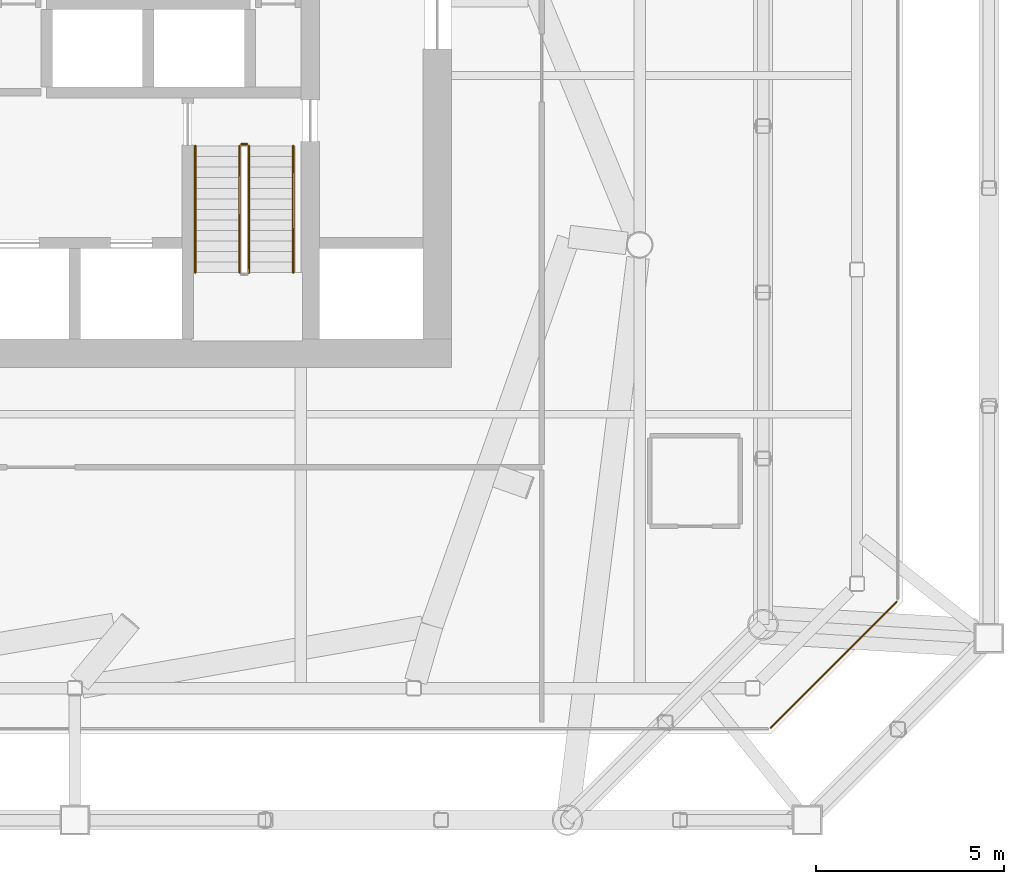
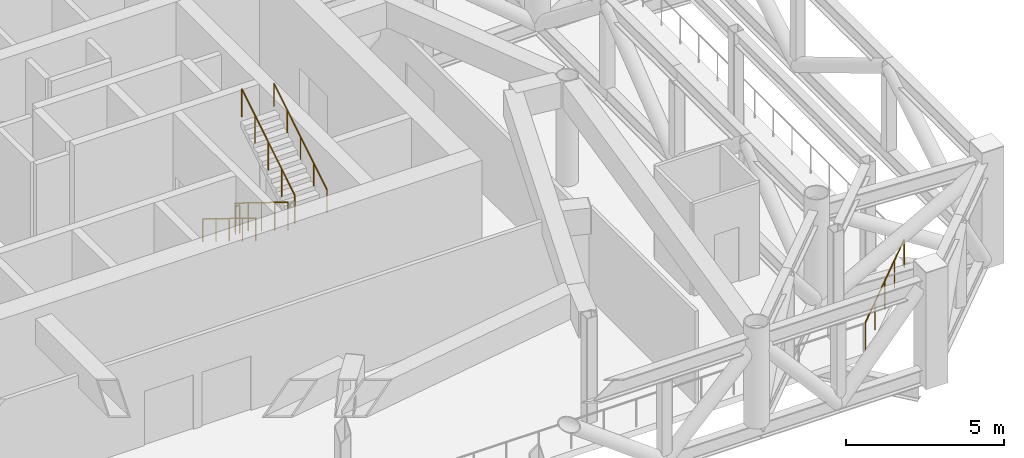
# One storey, part 20 of 21: 6 railings.
"""IFC4 building model written with IfcOpenShell, lengths in metres."""

import ifcopenshell
import ifcopenshell.guid

model = None  # the IFC model being written
_history = None  # IfcOwnerHistory: only IFC2X3 demands one
_inside = {}  # id of a spatial element -> (the spatial element, [elements in it])
_under = {}  # id of a project, library or spatial element -> (it, [spatial elements below it])
_declared = {}  # id of a project -> (the project, [libraries it declares])
_typed = {}  # id of a type object -> (the type object, [elements of that type])
_made_of = {}  # id of a material, layer set ... -> (it, [elements and type objects made of it])


def new_model(schema):
    """Start an empty IFC model of exactly this schema.

    Asked for "IFC4X3", IfcOpenShell would pick the latest addendum, in which some entities
    have other attributes; the version numbers below select the first issue.
    IFC2X3 requires an IfcOwnerHistory on every rooted entity: one is made here for all.
    """
    global model, _history
    if schema == "IFC4X3":
        model = ifcopenshell.file(schema_version=(4, 3, 0, 0))
    else:
        model = ifcopenshell.file(schema=schema)
    _inside.clear()
    _under.clear()
    _declared.clear()
    _typed.clear()
    _made_of.clear()
    _history = None
    if model.schema == "IFC2X3":
        org = make("IfcOrganization", Name="unknown")
        user = make(
            "IfcPersonAndOrganization",
            ThePerson=make("IfcPerson", FamilyName="unknown"),
            TheOrganization=org,
        )
        app = make(
            "IfcApplication",
            ApplicationDeveloper=org,
            Version="unknown",
            ApplicationFullName="unknown",
            ApplicationIdentifier="unknown",
        )
        _history = make(
            "IfcOwnerHistory",
            OwningUser=user,
            OwningApplication=app,
            ChangeAction="ADDED",
            CreationDate=0,
        )
    return model


def make(cls, **values):
    """One entity of the class cls with the attributes given. An attribute that is None is left unset."""
    return model.create_entity(
        cls, **{name: value for name, value in values.items() if value is not None}
    )


def rooted(cls, **values):
    """An entity with a GlobalId (a new one), such as an element, a storey or a relation."""
    return make(cls, GlobalId=ifcopenshell.guid.new(), OwnerHistory=_history, **values)


def si_unit(unit_type, name, prefix=None):
    """IfcSIUnit, for example si_unit("LENGTHUNIT", "METRE", prefix="MILLI")."""
    return make("IfcSIUnit", UnitType=unit_type, Prefix=prefix, Name=name)


def assignment(units):
    """IfcUnitAssignment: the units of a project."""
    return None if units is None else make("IfcUnitAssignment", Units=units)


def point(xyz):
    """IfcCartesianPoint."""
    return None if xyz is None else make("IfcCartesianPoint", Coordinates=xyz)


def direction(xyz):
    """IfcDirection."""
    return None if xyz is None else make("IfcDirection", DirectionRatios=xyz)


def frame(location, z_axis=None, x_axis=None):
    """IfcAxis2Placement3D, a coordinate frame: its origin and axes. An axis left out is left unset."""
    return make(
        "IfcAxis2Placement3D",
        Location=point(location),
        Axis=direction(z_axis),
        RefDirection=direction(x_axis),
    )


def frame_2d(location, x_axis=None):
    """IfcAxis2Placement2D, a coordinate frame in the plane: its origin and x axis."""
    return make(
        "IfcAxis2Placement2D", Location=point(location), RefDirection=direction(x_axis)
    )


def origin():
    """The frame at (0, 0, 0) with its axes left unset."""
    return frame((0.0, 0.0, 0.0))


def origin_2d():
    """The frame at (0, 0) in the plane with its x axis left unset."""
    return frame_2d((0.0, 0.0))


def place(relative_to, where):
    """IfcLocalPlacement: puts the frame where relative to a parent placement (None: the world)."""
    return make(
        "IfcLocalPlacement", PlacementRelTo=relative_to, RelativePlacement=where
    )


def context(
    kind, dimensions, precision=None, world=None, true_north=None, identifier=None
):
    """IfcGeometricRepresentationContext, for example the 3D "Model" context."""
    return make(
        "IfcGeometricRepresentationContext",
        ContextIdentifier=identifier,
        ContextType=kind,
        CoordinateSpaceDimension=dimensions,
        Precision=precision,
        WorldCoordinateSystem=world,
        TrueNorth=true_north,
    )


def subcontext(parent, identifier, kind, view, scale=None):
    """IfcGeometricRepresentationSubContext, for example "Body" below "Model"."""
    return make(
        "IfcGeometricRepresentationSubContext",
        ContextIdentifier=identifier,
        ContextType=kind,
        ParentContext=parent,
        TargetScale=scale,
        TargetView=view,
    )


def project(units=None, contexts=None):
    """IfcProject with its units and contexts."""
    return rooted(
        "IfcProject",
        Name="project",
        RepresentationContexts=contexts,
        UnitsInContext=assignment(units),
    )


def spatial(cls, under=None, at=None, **own):
    """A site, building, storey or space (cls), placed at a placement, below another one or the project."""
    s = rooted(cls, ObjectPlacement=at, **own)
    if under is not None:
        _under.setdefault(under.id(), (under, []))[1].append(s)
    return s


def profile(cls, at=None, kind="AREA", **sizes):
    """A parametric profile (cls). Its sizes go by their IFC names, for example OverallWidth=200.0."""
    return make(cls, ProfileType=kind, Position=at, **sizes)


def circle(**sizes):
    """IfcCircleProfileDef."""
    return profile("IfcCircleProfileDef", **sizes)


def extrude(swept, where, along, depth):
    """IfcExtrudedAreaSolid: the profile swept, set in the frame where, extruded along a direction by depth."""
    return make(
        "IfcExtrudedAreaSolid",
        SweptArea=swept,
        Position=where,
        ExtrudedDirection=direction(along),
        Depth=depth,
    )


def shape(context_of_items, identifier, shape_type, items):
    """IfcShapeRepresentation: the items that make up one representation, for example the "Body"."""
    return make(
        "IfcShapeRepresentation",
        ContextOfItems=context_of_items,
        RepresentationIdentifier=identifier,
        RepresentationType=shape_type,
        Items=items,
    )


def material(Name=None, Category=None):
    """IfcMaterial."""
    return make("IfcMaterial", Name=Name, Category=Category)


def made_of(thing, what):
    """Note that an element or type object is made of a material, layer set ...; save() writes the relation."""
    if what is not None:
        _made_of.setdefault(what.id(), (what, []))[1].append(thing)
    return thing


def type_object(cls, material=None, **own):
    """A type object (cls), such as IfcWallType, which elements share."""
    return made_of(rooted(cls, **own), material)


def element(
    cls,
    number,
    at=None,
    inside=None,
    cuts=None,
    type_object=None,
    material=None,
    context=None,
    identifier="Body",
    shape_type=None,
    held_by="IfcProductDefinitionShape",
    body=None,
    shapes=None,
    **own,
):
    """One element of the class cls, such as IfcWall. Its Tag is "e" and its number.

    at: its placement. inside: the storey or other place that contains it. cuts: it is an
    opening in that element (IfcRelVoidsElement). A single representation is given by context,
    identifier, shape_type and body (its items); several are given by shapes. held_by: the class
    of the entity that holds the representations. save() writes the other relations.
    """
    e = rooted(cls, Tag="e%d" % number, ObjectPlacement=at, **own)
    if body is not None:
        shapes = [shape(context, identifier, shape_type, body)]
    if shapes is not None:
        e.Representation = make(held_by, Representations=shapes)
    if inside is not None:
        _inside.setdefault(inside.id(), (inside, []))[1].append(e)
    if cuts is not None:
        rooted(
            "IfcRelVoidsElement", RelatingBuildingElement=cuts, RelatedOpeningElement=e
        )
    if type_object is not None:
        _typed.setdefault(type_object.id(), (type_object, []))[1].append(e)
    return made_of(e, material)


def aggregate(whole, parts):
    """IfcRelAggregates: a whole, such as a stair, and the parts it consists of."""
    return rooted("IfcRelAggregates", RelatingObject=whole, RelatedObjects=parts)


def save(model, path):
    """Write the relations noted so far, then the file.

    IfcRelAggregates (storeys below a building ...), IfcRelContainedInSpatialStructure (elements
    in a storey), IfcRelDefinesByType, IfcRelAssociatesMaterial and IfcRelDeclares: one each for
    every whole, place, type object, material and project.
    """
    for whole, parts in _under.values():
        aggregate(whole, parts)
    for where, things in _inside.values():
        rooted(
            "IfcRelContainedInSpatialStructure",
            RelatedElements=things,
            RelatingStructure=where,
        )
    for kind, things in _typed.values():
        rooted("IfcRelDefinesByType", RelatedObjects=things, RelatingType=kind)
    for what, things in _made_of.values():
        rooted("IfcRelAssociatesMaterial", RelatedObjects=things, RelatingMaterial=what)
    for by, libraries in _declared.values():
        rooted("IfcRelDeclares", RelatingContext=by, RelatedDefinitions=libraries)
    model.write(path)


model = new_model("IFC4")

# Units and contexts
model_context = context("Model", 3, precision=1e-05, world=origin(), true_north=direction((0.0, 1.0)))
body_context = subcontext(model_context, "Body", "Model", "MODEL_VIEW")
ifc_project = project(units=[si_unit("LENGTHUNIT", "METRE"), si_unit("AREAUNIT", "SQUARE_METRE"), si_unit("VOLUMEUNIT", "CUBIC_METRE"), si_unit("PLANEANGLEUNIT", "RADIAN"), si_unit("MASSUNIT", "GRAM", prefix="KILO")], contexts=[model_context])

# Site, building, storey
site_placement = place(None, origin())
site = spatial("IfcSite", under=ifc_project, at=site_placement, CompositionType="ELEMENT")
building_placement = place(site_placement, origin())
building = spatial("IfcBuilding", under=site, at=building_placement, Name="Tskaro Facet Tower", CompositionType="ELEMENT")
storey_placement = place(building_placement, frame((0.0, 0.0, 167.699951171875)))
storey = spatial("IfcBuildingStorey", under=building, at=storey_placement, Name="L41", CompositionType="ELEMENT", Elevation=167.699951171875)

# Railings
ifc_material_1 = material(Name="Bronze anodised aluminium 6063-T6", Category="aluminium")
railing_type_1 = type_object("IfcRailingType", Name="Bronze guard rail (GD1)", PredefinedType="GUARDRAIL", material=ifc_material_1)
railing_1_placement = place(storey_placement, frame((21.477783203125, -21.822265625, 0.0)))
element("IfcRailing", 1, at=railing_1_placement, inside=storey, type_object=railing_type_1, Name="Guard L41", PredefinedType="GUARDRAIL", context=body_context, shape_type="SweptSolid", body=[
    extrude(circle(Radius=0.02490234375, at=origin_2d()), frame((0.0, 0.0, 1.0751953125), z_axis=(0.707106781187, 0.707106781187, 0.0), x_axis=(-0.707106781187, 0.707106781187, 0.0)), (0.0, 0.0, 1.0), 4.729736328125),
    extrude(circle(Radius=0.02001953125, at=origin_2d()), origin(), (0.0, 0.0, 1.0), 1.050048828125),
    extrude(circle(Radius=0.02001953125, at=origin_2d()), frame((0.836181640625, 0.836181640625, 0.0)), (0.0, 0.0, 1.0), 1.050048828125),
    extrude(circle(Radius=0.02001953125, at=origin_2d()), frame((1.67236328125, 1.67236328125, 0.0)), (0.0, 0.0, 1.0), 1.050048828125),
    extrude(circle(Radius=0.02001953125, at=origin_2d()), frame((2.50830078125, 2.50830078125, 0.0)), (0.0, 0.0, 1.0), 1.050048828125),
    extrude(circle(Radius=0.02001953125, at=origin_2d()), frame((3.344482421875, 3.344482421875, 0.0)), (0.0, 0.0, 1.0), 1.050048828125),
])
ifc_material_2 = material(Name="Stainless steel", Category="steel")
railing_type_2 = type_object("IfcRailingType", Name="RL-GUARD-1100", PredefinedType="GUARDRAIL", material=ifc_material_2)
railing_2_placement = place(storey_placement, frame((7.375, -6.375, 0.173095703125)))
element("IfcRailing", 2, at=railing_2_placement, inside=storey, type_object=railing_type_2, Name="L41 ST-2 stair guard 1", PredefinedType="GUARDRAIL", context=body_context, shape_type="SweptSolid", body=[
    extrude(circle(Radius=0.02392578125, at=origin_2d()), frame((0.0, 0.0, 1.076171875), z_axis=(0.0, -0.850623216509, 0.525775754039), x_axis=(1.0, 0.0, 0.0)), (0.0, 0.0, 1.0), 3.9501953125),
    extrude(circle(Radius=0.02099609375, at=origin_2d()), origin(), (0.0, 0.0, 1.0), 1.052001953125),
    extrude(circle(Radius=0.02099609375, at=origin_2d()), frame((0.0, -0.840087890625, 0.519287109375)), (0.0, 0.0, 1.0), 1.052001953125),
    extrude(circle(Radius=0.02099609375, at=origin_2d()), frame((0.0, -1.68017578125, 1.03857421875)), (0.0, 0.0, 1.0), 1.052001953125),
    extrude(circle(Radius=0.02099609375, at=origin_2d()), frame((0.0, -2.52001953125, 1.5576171875)), (0.0, 0.0, 1.0), 1.052001953125),
    extrude(circle(Radius=0.02099609375, at=origin_2d()), frame((0.0, -3.360107421875, 2.076904296875)), (0.0, 0.0, 1.0), 1.052001953125),
])
railing_3_placement = place(storey_placement, frame((7.625, -9.735107421875, 2.423095703125)))
element("IfcRailing", 3, at=railing_3_placement, inside=storey, type_object=railing_type_2, Name="L41 ST-2 stair guard 3", PredefinedType="GUARDRAIL", context=body_context, shape_type="SweptSolid", body=[
    extrude(circle(Radius=0.02392578125, at=origin_2d()), frame((0.0, 0.0, 1.076171875), z_axis=(0.0, 0.850623216509, 0.525775754039), x_axis=(-1.0, 0.0, 0.0)), (0.0, 0.0, 1.0), 3.9501953125),
    extrude(circle(Radius=0.02099609375, at=origin_2d()), origin(), (0.0, 0.0, 1.0), 1.052001953125),
    extrude(circle(Radius=0.02099609375, at=origin_2d()), frame((0.0, 0.840087890625, 0.519287109375)), (0.0, 0.0, 1.0), 1.052001953125),
    extrude(circle(Radius=0.02099609375, at=origin_2d()), frame((0.0, 1.68017578125, 1.03857421875)), (0.0, 0.0, 1.0), 1.052001953125),
    extrude(circle(Radius=0.02099609375, at=origin_2d()), frame((0.0, 2.52001953125, 1.5576171875)), (0.0, 0.0, 1.0), 1.052001953125),
    extrude(circle(Radius=0.02099609375, at=origin_2d()), frame((0.0, 3.360107421875, 2.076904296875)), (0.0, 0.0, 1.0), 1.052001953125),
])
railing_4_placement = place(storey_placement, frame((7.425048828125, -6.324951171875, 0.0)))
element("IfcRailing", 4, at=railing_4_placement, inside=storey, type_object=railing_type_2, Name="L41 ST-2 stair guard 4", PredefinedType="GUARDRAIL", context=body_context, shape_type="SweptSolid", body=[
    extrude(circle(Radius=0.02392578125, at=origin_2d()), frame((0.0, 0.0, 1.076171875), z_axis=(1.0, 0.0, 0.0), x_axis=(0.0, 1.0, 0.0)), (0.0, 0.0, 1.0), 0.14990234375),
    extrude(circle(Radius=0.02099609375, at=origin_2d()), origin(), (0.0, 0.0, 1.0), 1.052001953125),
    extrude(circle(Radius=0.02099609375, at=origin_2d()), frame((0.14990234375, 0.0, 0.0)), (0.0, 0.0, 1.0), 1.052001953125),
])
railing_type_3 = type_object("IfcRailingType", Name="RL-HANDRAIL-900", PredefinedType="HANDRAIL", material=ifc_material_2)
railing_5_placement = place(storey_placement, frame((6.199951171875, -6.375, 0.173095703125)))
element("IfcRailing", 5, at=railing_5_placement, inside=storey, type_object=railing_type_3, Name="L41 ST-2 stair handrail 1", PredefinedType="HANDRAIL", context=body_context, shape_type="SweptSolid", body=[
    extrude(circle(Radius=0.02392578125, at=origin_2d()), frame((0.0, 0.0, 0.8759765625), z_axis=(0.0, -0.850623216509, 0.525775754039), x_axis=(1.0, 0.0, 0.0)), (0.0, 0.0, 1.0), 3.9501953125),
    extrude(circle(Radius=0.02099609375, at=origin_2d()), origin(), (0.0, 0.0, 1.0), 0.851806640625),
    extrude(circle(Radius=0.02099609375, at=origin_2d()), frame((0.0, -0.840087890625, 0.519287109375)), (0.0, 0.0, 1.0), 0.851806640625),
    extrude(circle(Radius=0.02099609375, at=origin_2d()), frame((0.0, -1.68017578125, 1.03857421875)), (0.0, 0.0, 1.0), 0.851806640625),
    extrude(circle(Radius=0.02099609375, at=origin_2d()), frame((0.0, -2.52001953125, 1.5576171875)), (0.0, 0.0, 1.0), 0.851806640625),
    extrude(circle(Radius=0.02099609375, at=origin_2d()), frame((0.0, -3.360107421875, 2.076904296875)), (0.0, 0.0, 1.0), 0.851806640625),
])
railing_6_placement = place(storey_placement, frame((8.800048828125, -9.735107421875, 2.423095703125)))
element("IfcRailing", 6, at=railing_6_placement, inside=storey, type_object=railing_type_3, Name="L41 ST-2 stair handrail 2", PredefinedType="HANDRAIL", context=body_context, shape_type="SweptSolid", body=[
    extrude(circle(Radius=0.02392578125, at=origin_2d()), frame((0.0, 0.0, 0.8759765625), z_axis=(0.0, 0.850623216509, 0.525775754039), x_axis=(-1.0, 0.0, 0.0)), (0.0, 0.0, 1.0), 3.9501953125),
    extrude(circle(Radius=0.02099609375, at=origin_2d()), origin(), (0.0, 0.0, 1.0), 0.851806640625),
    extrude(circle(Radius=0.02099609375, at=origin_2d()), frame((0.0, 0.840087890625, 0.519287109375)), (0.0, 0.0, 1.0), 0.851806640625),
    extrude(circle(Radius=0.02099609375, at=origin_2d()), frame((0.0, 1.68017578125, 1.03857421875)), (0.0, 0.0, 1.0), 0.851806640625),
    extrude(circle(Radius=0.02099609375, at=origin_2d()), frame((0.0, 2.52001953125, 1.5576171875)), (0.0, 0.0, 1.0), 0.851806640625),
    extrude(circle(Radius=0.02099609375, at=origin_2d()), frame((0.0, 3.360107421875, 2.076904296875)), (0.0, 0.0, 1.0), 0.851806640625),
])

save(model, "model.ifc")
